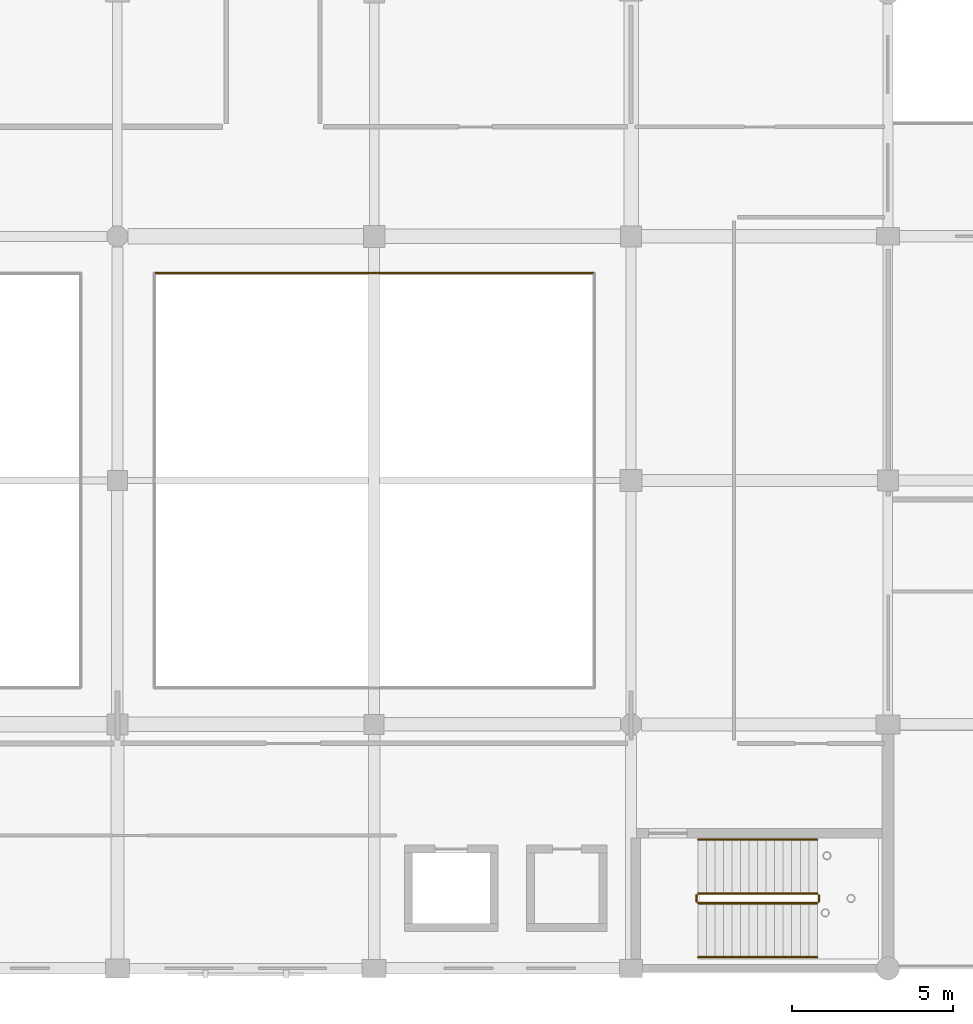
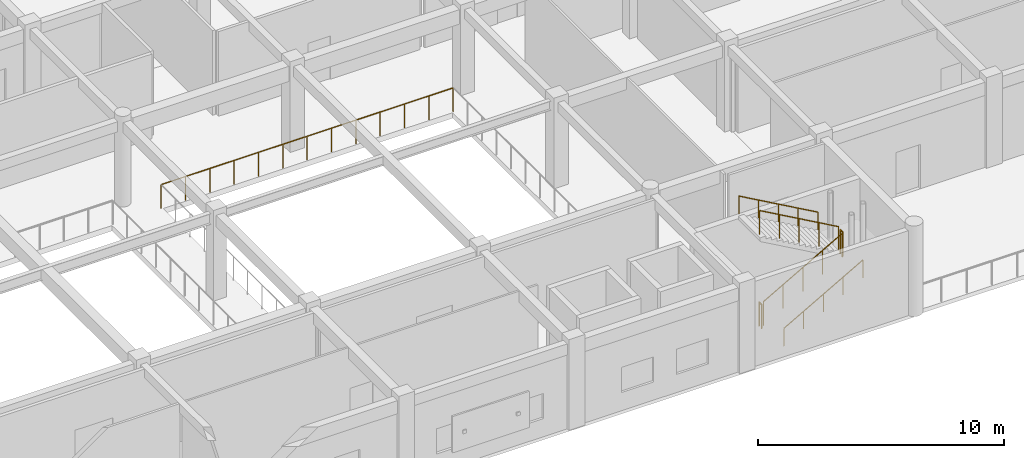
# One storey, part 146 of 160: 7 railings.
"""IFC4 building model written with IfcOpenShell, lengths in metres."""

from ifc_helpers import new_model, si_unit, direction, frame, origin, origin_2d, place, context, subcontext, project, spatial, circle, extrude, material, type_object, element, save


model = new_model("IFC4")

# Units and contexts
model_context = context("Model", 3, precision=1e-05, world=origin(), true_north=direction((0.0, 1.0)))
body_context = subcontext(model_context, "Body", "Model", "MODEL_VIEW")
ifc_project = project(units=[si_unit("LENGTHUNIT", "METRE"), si_unit("AREAUNIT", "SQUARE_METRE"), si_unit("VOLUMEUNIT", "CUBIC_METRE"), si_unit("PLANEANGLEUNIT", "RADIAN"), si_unit("MASSUNIT", "GRAM", prefix="KILO")], contexts=[model_context])

# Site, building, storey
site_placement = place(None, origin())
site = spatial("IfcSite", under=ifc_project, at=site_placement, CompositionType="ELEMENT")
building_placement = place(site_placement, origin())
building = spatial("IfcBuilding", under=site, at=building_placement, Name="Kharva Crest Polytechnic", CompositionType="ELEMENT")
storey_placement = place(building_placement, frame((0.0, 0.0, 4.5)))
storey = spatial("IfcBuildingStorey", under=building, at=storey_placement, Name="L01", CompositionType="ELEMENT", Elevation=4.5)

# Railings
ifc_material_1 = material(Name="Anodised aluminium", Category="aluminium")
railing_type_1 = type_object("IfcRailingType", Name="RL-STAIR-GUARD-1200", PredefinedType="GUARDRAIL", material=ifc_material_1)
railing_1_placement = place(storey_placement, frame((50.090087890625, 2.030029296875, 0.14990234375)))
element("IfcRailing", 1, at=railing_1_placement, inside=storey, type_object=railing_type_1, Name="L01 ST-01 stair guard 1", PredefinedType="GUARDRAIL", context=body_context, shape_type="SweptSolid", body=[
    extrude(circle(Radius=0.02392578125, at=origin_2d()), frame((0.0, 0.0, 1.17578125), z_axis=(0.870244811389, 0.0, 0.492619496418), x_axis=(0.0, 1.0, 0.0)), (0.0, 0.0, 1.0), 4.26318359375),
    extrude(circle(Radius=0.02099609375, at=origin_2d()), origin(), (0.0, 0.0, 1.0), 1.15185546875),
    extrude(circle(Radius=0.02099609375, at=origin_2d()), frame((0.927490234375, 0.0, 0.52490234375)), (0.0, 0.0, 1.0), 1.15185546875),
    extrude(circle(Radius=0.02099609375, at=origin_2d()), frame((1.85498046875, 0.0, 1.050048828125)), (0.0, 0.0, 1.0), 1.15185546875),
    extrude(circle(Radius=0.02099609375, at=origin_2d()), frame((2.782470703125, 0.0, 1.5751953125)), (0.0, 0.0, 1.0), 1.15185546875),
    extrude(circle(Radius=0.02099609375, at=origin_2d()), frame((3.7099609375, 0.0, 2.10009765625)), (0.0, 0.0, 1.0), 1.15185546875),
])
railing_2_placement = place(storey_placement, frame((53.85009765625, 2.080078125, 2.25)))
element("IfcRailing", 2, at=railing_2_placement, inside=storey, type_object=railing_type_1, Name="L01 ST-01 stair guard 2", PredefinedType="GUARDRAIL", context=body_context, shape_type="SweptSolid", body=[
    extrude(circle(Radius=0.02392578125, at=origin_2d()), frame((0.0, 0.0, 1.17578125), z_axis=(0.0, 1.0, 0.0), x_axis=(-1.0, 0.0, 0.0)), (0.0, 0.0, 1.0), 0.199951171875),
    extrude(circle(Radius=0.02099609375, at=origin_2d()), origin(), (0.0, 0.0, 1.0), 1.15185546875),
    extrude(circle(Radius=0.02099609375, at=origin_2d()), frame((0.0, 0.199951171875, 0.0)), (0.0, 0.0, 1.0), 1.15185546875),
])
railing_3_placement = place(storey_placement, frame((53.800048828125, 2.330078125, 2.39990234375)))
element("IfcRailing", 3, at=railing_3_placement, inside=storey, type_object=railing_type_1, Name="L01 ST-01 stair guard 3", PredefinedType="GUARDRAIL", context=body_context, shape_type="SweptSolid", body=[
    extrude(circle(Radius=0.02392578125, at=origin_2d()), frame((0.0, 0.0, 1.17578125), z_axis=(-0.870244811389, 0.0, 0.492619496418), x_axis=(0.0, -1.0, 0.0)), (0.0, 0.0, 1.0), 4.26318359375),
    extrude(circle(Radius=0.02099609375, at=origin_2d()), origin(), (0.0, 0.0, 1.0), 1.15185546875),
    extrude(circle(Radius=0.02099609375, at=origin_2d()), frame((-0.927490234375, 0.0, 0.52490234375)), (0.0, 0.0, 1.0), 1.15185546875),
    extrude(circle(Radius=0.02099609375, at=origin_2d()), frame((-1.85498046875, 0.0, 1.050048828125)), (0.0, 0.0, 1.0), 1.15185546875),
    extrude(circle(Radius=0.02099609375, at=origin_2d()), frame((-2.782470703125, 0.0, 1.5751953125)), (0.0, 0.0, 1.0), 1.15185546875),
    extrude(circle(Radius=0.02099609375, at=origin_2d()), frame((-3.7099609375, 0.0, 2.10009765625)), (0.0, 0.0, 1.0), 1.15185546875),
])
railing_4_placement = place(storey_placement, frame((50.0400390625, 2.080078125, 0.0)))
element("IfcRailing", 4, at=railing_4_placement, inside=storey, type_object=railing_type_1, Name="L01 ST-01 stair guard 4", PredefinedType="GUARDRAIL", context=body_context, shape_type="SweptSolid", body=[
    extrude(circle(Radius=0.02392578125, at=origin_2d()), frame((0.0, 0.0, 1.17578125), z_axis=(0.0, 1.0, 0.0), x_axis=(-1.0, 0.0, 0.0)), (0.0, 0.0, 1.0), 0.199951171875),
    extrude(circle(Radius=0.02099609375, at=origin_2d()), origin(), (0.0, 0.0, 1.0), 1.15185546875),
    extrude(circle(Radius=0.02099609375, at=origin_2d()), frame((0.0, 0.199951171875, 0.0)), (0.0, 0.0, 1.0), 1.15185546875),
])
ifc_material_2 = material(Name="Teak timber", Category="wood")
railing_type_2 = type_object("IfcRailingType", Name="RL-STAIR-HAND-900", PredefinedType="HANDRAIL", material=ifc_material_2)
railing_5_placement = place(storey_placement, frame((50.090087890625, 0.35009765625, 0.14990234375)))
element("IfcRailing", 5, at=railing_5_placement, inside=storey, type_object=railing_type_2, Name="L01 ST-01 stair handrail 1", PredefinedType="HANDRAIL", context=body_context, shape_type="SweptSolid", body=[
    extrude(circle(Radius=0.02392578125, at=origin_2d()), frame((0.0, 0.0, 0.8759765625), z_axis=(0.870244811389, 0.0, 0.492619496418), x_axis=(0.0, 1.0, 0.0)), (0.0, 0.0, 1.0), 4.26318359375),
    extrude(circle(Radius=0.02099609375, at=origin_2d()), origin(), (0.0, 0.0, 1.0), 0.851806640625),
    extrude(circle(Radius=0.02099609375, at=origin_2d()), frame((0.927490234375, 0.0, 0.52490234375)), (0.0, 0.0, 1.0), 0.851806640625),
    extrude(circle(Radius=0.02099609375, at=origin_2d()), frame((1.85498046875, 0.0, 1.050048828125)), (0.0, 0.0, 1.0), 0.851806640625),
    extrude(circle(Radius=0.02099609375, at=origin_2d()), frame((2.782470703125, 0.0, 1.5751953125)), (0.0, 0.0, 1.0), 0.851806640625),
    extrude(circle(Radius=0.02099609375, at=origin_2d()), frame((3.7099609375, 0.0, 2.10009765625)), (0.0, 0.0, 1.0), 0.851806640625),
])
railing_6_placement = place(storey_placement, frame((53.800048828125, 4.010009765625, 2.39990234375)))
element("IfcRailing", 6, at=railing_6_placement, inside=storey, type_object=railing_type_2, Name="L01 ST-01 stair handrail 2", PredefinedType="HANDRAIL", context=body_context, shape_type="SweptSolid", body=[
    extrude(circle(Radius=0.02392578125, at=origin_2d()), frame((0.0, 0.0, 0.8759765625), z_axis=(-0.870244811389, 0.0, 0.492619496418), x_axis=(0.0, -1.0, 0.0)), (0.0, 0.0, 1.0), 4.26318359375),
    extrude(circle(Radius=0.02099609375, at=origin_2d()), origin(), (0.0, 0.0, 1.0), 0.851806640625),
    extrude(circle(Radius=0.02099609375, at=origin_2d()), frame((-0.927490234375, 0.0, 0.52490234375)), (0.0, 0.0, 1.0), 0.851806640625),
    extrude(circle(Radius=0.02099609375, at=origin_2d()), frame((-1.85498046875, 0.0, 1.050048828125)), (0.0, 0.0, 1.0), 0.851806640625),
    extrude(circle(Radius=0.02099609375, at=origin_2d()), frame((-2.782470703125, 0.0, 1.5751953125)), (0.0, 0.0, 1.0), 0.851806640625),
    extrude(circle(Radius=0.02099609375, at=origin_2d()), frame((-3.7099609375, 0.0, 2.10009765625)), (0.0, 0.0, 1.0), 0.851806640625),
])
railing_type_3 = type_object("IfcRailingType", Name="RL-VOID-GUARD-1200", PredefinedType="GUARDRAIL", material=ifc_material_1)
railing_7_placement = place(storey_placement, frame((46.860107421875, 21.659912109375, 0.0)))
element("IfcRailing", 7, at=railing_7_placement, inside=storey, type_object=railing_type_3, Name="L01 Atrium Void Guard 15", PredefinedType="GUARDRAIL", context=body_context, shape_type="SweptSolid", body=[
    extrude(circle(Radius=0.02392578125, at=origin_2d()), frame((0.0, 0.0, 1.17578125), z_axis=(-1.0, 0.0, 0.0), x_axis=(0.0, -1.0, 0.0)), (0.0, 0.0, 1.0), 13.72021484375),
    extrude(circle(Radius=0.02099609375, at=origin_2d()), origin(), (0.0, 0.0, 1.0), 1.15185546875),
    extrude(circle(Radius=0.02099609375, at=origin_2d()), frame((-1.143310546875, 0.0, 0.0)), (0.0, 0.0, 1.0), 1.15185546875),
    extrude(circle(Radius=0.02099609375, at=origin_2d()), frame((-2.28662109375, 0.0, 0.0)), (0.0, 0.0, 1.0), 1.15185546875),
    extrude(circle(Radius=0.02099609375, at=origin_2d()), frame((-3.43017578125, 0.0, 0.0)), (0.0, 0.0, 1.0), 1.15185546875),
    extrude(circle(Radius=0.02099609375, at=origin_2d()), frame((-4.573486328125, 0.0, 0.0)), (0.0, 0.0, 1.0), 1.15185546875),
    extrude(circle(Radius=0.02099609375, at=origin_2d()), frame((-5.716796875, 0.0, 0.0)), (0.0, 0.0, 1.0), 1.15185546875),
    extrude(circle(Radius=0.02099609375, at=origin_2d()), frame((-6.860107421875, 0.0, 0.0)), (0.0, 0.0, 1.0), 1.15185546875),
    extrude(circle(Radius=0.02099609375, at=origin_2d()), frame((-8.00341796875, 0.0, 0.0)), (0.0, 0.0, 1.0), 1.15185546875),
    extrude(circle(Radius=0.02099609375, at=origin_2d()), frame((-9.146728515625, 0.0, 0.0)), (0.0, 0.0, 1.0), 1.15185546875),
    extrude(circle(Radius=0.02099609375, at=origin_2d()), frame((-10.2900390625, 0.0, 0.0)), (0.0, 0.0, 1.0), 1.15185546875),
    extrude(circle(Radius=0.02099609375, at=origin_2d()), frame((-11.43359375, 0.0, 0.0)), (0.0, 0.0, 1.0), 1.15185546875),
    extrude(circle(Radius=0.02099609375, at=origin_2d()), frame((-12.576904296875, 0.0, 0.0)), (0.0, 0.0, 1.0), 1.15185546875),
    extrude(circle(Radius=0.02099609375, at=origin_2d()), frame((-13.72021484375, 0.0, 0.0)), (0.0, 0.0, 1.0), 1.15185546875),
])

save(model, "model.ifc")
